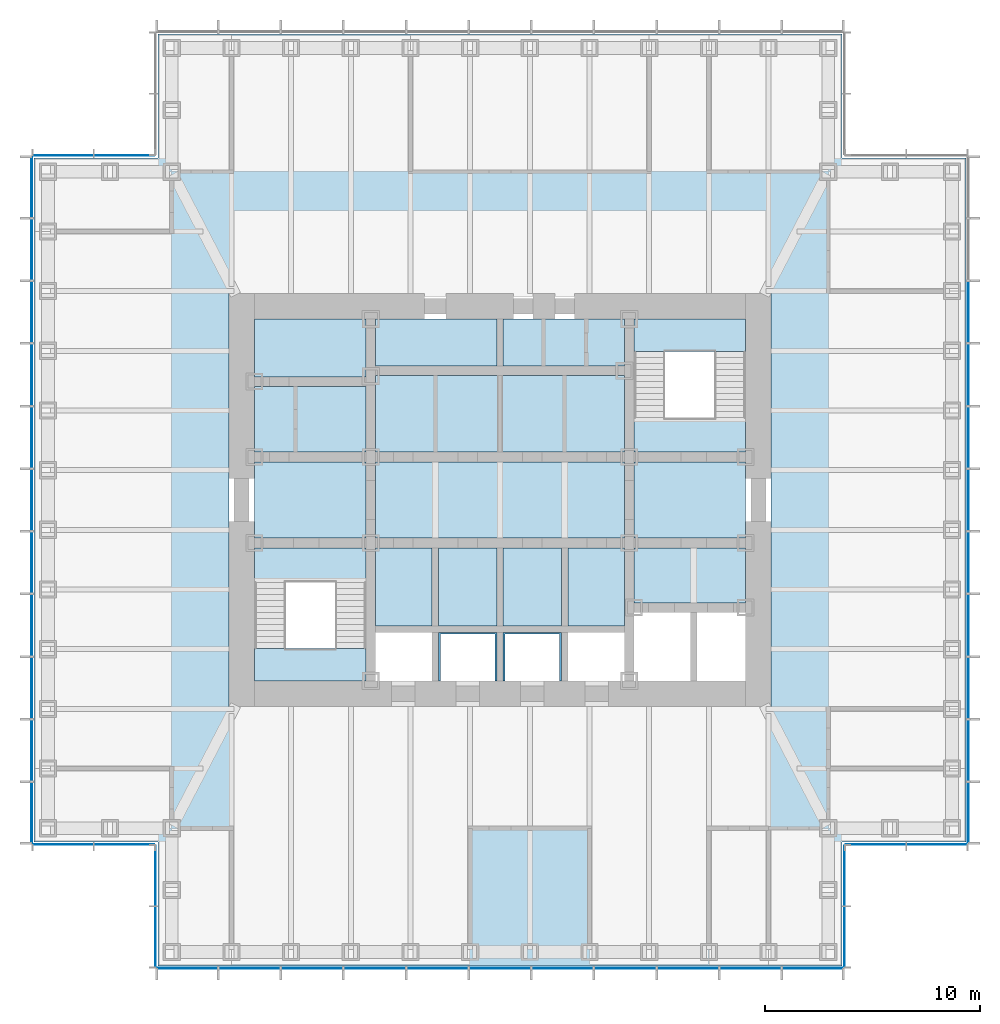
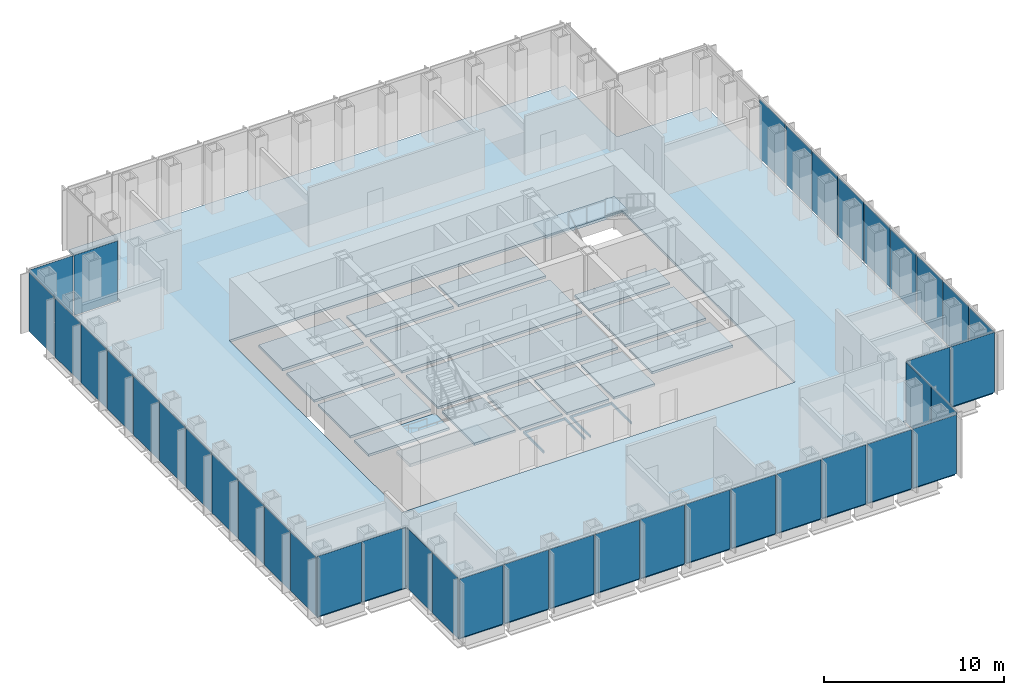
# One storey, part 7 of 16: 41 plates, 20 slabs, 10 elements without a shape of their own.
"""IFC4 building model written with IfcOpenShell, lengths in metres."""

from ifc_helpers import new_model, si_unit, direction, frame, origin, origin_2d, place, context, subcontext, project, spatial, polyline, rectangle, outline, extrude, material, layer, layer_set, type_object, element, aggregate, save


model = new_model("IFC4")

# Units and contexts
model_context = context("Model", 3, precision=1e-05, world=origin(), true_north=direction((0.0, 1.0)))
body_context = subcontext(model_context, "Body", "Model", "MODEL_VIEW")
ifc_project = project(units=[si_unit("LENGTHUNIT", "METRE"), si_unit("AREAUNIT", "SQUARE_METRE"), si_unit("VOLUMEUNIT", "CUBIC_METRE"), si_unit("PLANEANGLEUNIT", "RADIAN"), si_unit("MASSUNIT", "GRAM", prefix="KILO")], contexts=[model_context])

# Site, building, storey
site_placement = place(None, origin())
site = spatial("IfcSite", under=ifc_project, at=site_placement, CompositionType="ELEMENT")
building_placement = place(site_placement, origin())
building = spatial("IfcBuilding", under=site, at=building_placement, Name="Daluyong Arena Tower", CompositionType="ELEMENT")
storey_placement = place(building_placement, frame((0.0, 0.0, 258.699951171875)))
storey = spatial("IfcBuildingStorey", under=building, at=storey_placement, Name="L58", CompositionType="ELEMENT", Elevation=258.699951171875)

# Curtain wall, plates
ifc_material_1 = material(Name="Bronze anodised aluminium and glass", Category="aluminium")
curtain_wall_type_1 = type_object("IfcCurtainWallType", Name="Curtain wall CW4", PredefinedType="USERDEFINED", material=ifc_material_1)
curtain_wall_1_placement = place(storey_placement, origin())
curtain_wall_1 = element("IfcCurtainWall", 1, at=curtain_wall_1_placement, inside=storey, type_object=curtain_wall_type_1, Name="curtain wall L58 S", ObjectType="UNITISED CURTAIN WALL", PredefinedType="USERDEFINED")
ifc_material_2 = material(Name="Tinted laminated double glazed unit", Category="glass")
ifc_layer_1 = layer(ifc_material_2, 0.035888671875)
ifc_layer_set_1 = layer_set([ifc_layer_1], Name="Tinted laminated double glazed unit")
plate_type_1 = type_object("IfcPlateType", Name="CW4 panel 36", PredefinedType="CURTAIN_PANEL", material=ifc_layer_set_1)
plate_1_placement = place(storey_placement, frame((41.47705078125, 58.25, 0.0), z_axis=(0.0, 0.0, 1.0), x_axis=(1.0, 0.0, 0.0)))
plate_1 = element("IfcPlate", 2, at=plate_1_placement, type_object=plate_type_1, Name="curtain wall L58 S panel 1", PredefinedType="CURTAIN_PANEL", context=body_context, shape_type="SweptSolid", body=[
    extrude(rectangle(XDim=2.774169921875, YDim=0.035888671875, at=origin_2d()), origin(), (0.0, 0.0, 1.0), 4.0),
])
plate_2_placement = place(storey_placement, frame((44.363525390625, 58.25, 0.0), z_axis=(0.0, 0.0, 1.0), x_axis=(1.0, 0.0, 0.0)))
plate_2 = element("IfcPlate", 3, at=plate_2_placement, type_object=plate_type_1, Name="curtain wall L58 S panel 2", PredefinedType="CURTAIN_PANEL", context=body_context, shape_type="SweptSolid", body=[
    extrude(rectangle(XDim=2.819091796875, YDim=0.035888671875, at=origin_2d()), origin(), (0.0, 0.0, 1.0), 4.0),
])
plate_3_placement = place(storey_placement, frame((47.272705078125, 58.25, 0.0), z_axis=(0.0, 0.0, 1.0), x_axis=(1.0, 0.0, 0.0)))
plate_3 = element("IfcPlate", 4, at=plate_3_placement, type_object=plate_type_1, Name="curtain wall L58 S panel 3", PredefinedType="CURTAIN_PANEL", context=body_context, shape_type="SweptSolid", body=[
    extrude(rectangle(XDim=2.819091796875, YDim=0.035888671875, at=origin_2d()), origin(), (0.0, 0.0, 1.0), 4.0),
])
plate_4_placement = place(storey_placement, frame((50.181884765625, 58.25, 0.0), z_axis=(0.0, 0.0, 1.0), x_axis=(1.0, 0.0, 0.0)))
plate_4 = element("IfcPlate", 5, at=plate_4_placement, type_object=plate_type_1, Name="curtain wall L58 S panel 4", PredefinedType="CURTAIN_PANEL", context=body_context, shape_type="SweptSolid", body=[
    extrude(rectangle(XDim=2.819091796875, YDim=0.035888671875, at=origin_2d()), origin(), (0.0, 0.0, 1.0), 4.0),
])
plate_5_placement = place(storey_placement, frame((53.0908203125, 58.25, 0.0), z_axis=(0.0, 0.0, 1.0), x_axis=(1.0, 0.0, 0.0)))
plate_5 = element("IfcPlate", 6, at=plate_5_placement, type_object=plate_type_1, Name="curtain wall L58 S panel 5", PredefinedType="CURTAIN_PANEL", context=body_context, shape_type="SweptSolid", body=[
    extrude(rectangle(XDim=2.819091796875, YDim=0.035888671875, at=origin_2d()), origin(), (0.0, 0.0, 1.0), 4.0),
])
plate_6_placement = place(storey_placement, frame((56.0, 58.25, 0.0), z_axis=(0.0, 0.0, 1.0), x_axis=(1.0, 0.0, 0.0)))
plate_6 = element("IfcPlate", 7, at=plate_6_placement, type_object=plate_type_1, Name="curtain wall L58 S panel 6", PredefinedType="CURTAIN_PANEL", context=body_context, shape_type="SweptSolid", body=[
    extrude(rectangle(XDim=2.819091796875, YDim=0.035888671875, at=origin_2d()), origin(), (0.0, 0.0, 1.0), 4.0),
])
plate_7_placement = place(storey_placement, frame((58.9091796875, 58.25, 0.0), z_axis=(0.0, 0.0, 1.0), x_axis=(1.0, 0.0, 0.0)))
plate_7 = element("IfcPlate", 8, at=plate_7_placement, type_object=plate_type_1, Name="curtain wall L58 S panel 7", PredefinedType="CURTAIN_PANEL", context=body_context, shape_type="SweptSolid", body=[
    extrude(rectangle(XDim=2.819091796875, YDim=0.035888671875, at=origin_2d()), origin(), (0.0, 0.0, 1.0), 4.0),
])
plate_8_placement = place(storey_placement, frame((61.818115234375, 58.25, 0.0), z_axis=(0.0, 0.0, 1.0), x_axis=(1.0, 0.0, 0.0)))
plate_8 = element("IfcPlate", 9, at=plate_8_placement, type_object=plate_type_1, Name="curtain wall L58 S panel 8", PredefinedType="CURTAIN_PANEL", context=body_context, shape_type="SweptSolid", body=[
    extrude(rectangle(XDim=2.819091796875, YDim=0.035888671875, at=origin_2d()), origin(), (0.0, 0.0, 1.0), 4.0),
])
plate_9_placement = place(storey_placement, frame((64.727294921875, 58.25, 0.0), z_axis=(0.0, 0.0, 1.0), x_axis=(1.0, 0.0, 0.0)))
plate_9 = element("IfcPlate", 10, at=plate_9_placement, type_object=plate_type_1, Name="curtain wall L58 S panel 9", PredefinedType="CURTAIN_PANEL", context=body_context, shape_type="SweptSolid", body=[
    extrude(rectangle(XDim=2.819091796875, YDim=0.035888671875, at=origin_2d()), origin(), (0.0, 0.0, 1.0), 4.0),
])
plate_10_placement = place(storey_placement, frame((67.636474609375, 58.25, 0.0), z_axis=(0.0, 0.0, 1.0), x_axis=(1.0, 0.0, 0.0)))
plate_10 = element("IfcPlate", 11, at=plate_10_placement, type_object=plate_type_1, Name="curtain wall L58 S panel 10", PredefinedType="CURTAIN_PANEL", context=body_context, shape_type="SweptSolid", body=[
    extrude(rectangle(XDim=2.819091796875, YDim=0.035888671875, at=origin_2d()), origin(), (0.0, 0.0, 1.0), 4.0),
])
plate_11_placement = place(storey_placement, frame((70.52294921875, 58.25, 0.0), z_axis=(0.0, 0.0, 1.0), x_axis=(1.0, 0.0, 0.0)))
plate_11 = element("IfcPlate", 12, at=plate_11_placement, type_object=plate_type_1, Name="curtain wall L58 S panel 11", PredefinedType="CURTAIN_PANEL", context=body_context, shape_type="SweptSolid", body=[
    extrude(rectangle(XDim=2.774169921875, YDim=0.035888671875, at=origin_2d()), origin(), (0.0, 0.0, 1.0), 4.0),
])
aggregate(curtain_wall_1, [plate_1, plate_2, plate_3, plate_4, plate_5, plate_6, plate_7, plate_8, plate_9, plate_10, plate_11])

curtain_wall_2_placement = place(storey_placement, origin())
curtain_wall_2 = element("IfcCurtainWall", 13, at=curtain_wall_2_placement, inside=storey, type_object=curtain_wall_type_1, Name="curtain wall L58 E", ObjectType="UNITISED CURTAIN WALL", PredefinedType="USERDEFINED")
plate_12_placement = place(storey_placement, frame((77.75, 65.47705078125, 0.0), z_axis=(0.0, 0.0, 1.0), x_axis=(0.0, 1.0, 0.0)))
plate_12 = element("IfcPlate", 14, at=plate_12_placement, type_object=plate_type_1, Name="curtain wall L58 E panel 1", PredefinedType="CURTAIN_PANEL", context=body_context, shape_type="SweptSolid", body=[
    extrude(rectangle(XDim=2.774169921875, YDim=0.035888671875, at=origin_2d()), origin(), (0.0, 0.0, 1.0), 4.0),
])
plate_13_placement = place(storey_placement, frame((77.75, 68.363525390625, 0.0), z_axis=(0.0, 0.0, 1.0), x_axis=(0.0, 1.0, 0.0)))
plate_13 = element("IfcPlate", 15, at=plate_13_placement, type_object=plate_type_1, Name="curtain wall L58 E panel 2", PredefinedType="CURTAIN_PANEL", context=body_context, shape_type="SweptSolid", body=[
    extrude(rectangle(XDim=2.819091796875, YDim=0.035888671875, at=origin_2d()), origin(), (0.0, 0.0, 1.0), 4.0),
])
plate_14_placement = place(storey_placement, frame((77.75, 71.272705078125, 0.0), z_axis=(0.0, 0.0, 1.0), x_axis=(0.0, 1.0, 0.0)))
plate_14 = element("IfcPlate", 16, at=plate_14_placement, type_object=plate_type_1, Name="curtain wall L58 E panel 3", PredefinedType="CURTAIN_PANEL", context=body_context, shape_type="SweptSolid", body=[
    extrude(rectangle(XDim=2.819091796875, YDim=0.035888671875, at=origin_2d()), origin(), (0.0, 0.0, 1.0), 4.0),
])
plate_15_placement = place(storey_placement, frame((77.75, 74.181884765625, 0.0), z_axis=(0.0, 0.0, 1.0), x_axis=(0.0, 1.0, 0.0)))
plate_15 = element("IfcPlate", 17, at=plate_15_placement, type_object=plate_type_1, Name="curtain wall L58 E panel 4", PredefinedType="CURTAIN_PANEL", context=body_context, shape_type="SweptSolid", body=[
    extrude(rectangle(XDim=2.819091796875, YDim=0.035888671875, at=origin_2d()), origin(), (0.0, 0.0, 1.0), 4.0),
])
plate_16_placement = place(storey_placement, frame((77.75, 77.0908203125, 0.0), z_axis=(0.0, 0.0, 1.0), x_axis=(0.0, 1.0, 0.0)))
plate_16 = element("IfcPlate", 18, at=plate_16_placement, type_object=plate_type_1, Name="curtain wall L58 E panel 5", PredefinedType="CURTAIN_PANEL", context=body_context, shape_type="SweptSolid", body=[
    extrude(rectangle(XDim=2.819091796875, YDim=0.035888671875, at=origin_2d()), origin(), (0.0, 0.0, 1.0), 4.0),
])
plate_17_placement = place(storey_placement, frame((77.75, 80.0, 0.0), z_axis=(0.0, 0.0, 1.0), x_axis=(0.0, 1.0, 0.0)))
plate_17 = element("IfcPlate", 19, at=plate_17_placement, type_object=plate_type_1, Name="curtain wall L58 E panel 6", PredefinedType="CURTAIN_PANEL", context=body_context, shape_type="SweptSolid", body=[
    extrude(rectangle(XDim=2.819091796875, YDim=0.035888671875, at=origin_2d()), origin(), (0.0, 0.0, 1.0), 4.0),
])
plate_18_placement = place(storey_placement, frame((77.75, 82.9091796875, 0.0), z_axis=(0.0, 0.0, 1.0), x_axis=(0.0, 1.0, 0.0)))
plate_18 = element("IfcPlate", 20, at=plate_18_placement, type_object=plate_type_1, Name="curtain wall L58 E panel 7", PredefinedType="CURTAIN_PANEL", context=body_context, shape_type="SweptSolid", body=[
    extrude(rectangle(XDim=2.819091796875, YDim=0.035888671875, at=origin_2d()), origin(), (0.0, 0.0, 1.0), 4.0),
])
plate_19_placement = place(storey_placement, frame((77.75, 85.818115234375, 0.0), z_axis=(0.0, 0.0, 1.0), x_axis=(0.0, 1.0, 0.0)))
plate_19 = element("IfcPlate", 21, at=plate_19_placement, type_object=plate_type_1, Name="curtain wall L58 E panel 8", PredefinedType="CURTAIN_PANEL", context=body_context, shape_type="SweptSolid", body=[
    extrude(rectangle(XDim=2.819091796875, YDim=0.035888671875, at=origin_2d()), origin(), (0.0, 0.0, 1.0), 4.0),
])
plate_20_placement = place(storey_placement, frame((77.75, 88.727294921875, 0.0), z_axis=(0.0, 0.0, 1.0), x_axis=(0.0, 1.0, 0.0)))
plate_20 = element("IfcPlate", 22, at=plate_20_placement, type_object=plate_type_1, Name="curtain wall L58 E panel 9", PredefinedType="CURTAIN_PANEL", context=body_context, shape_type="SweptSolid", body=[
    extrude(rectangle(XDim=2.819091796875, YDim=0.035888671875, at=origin_2d()), origin(), (0.0, 0.0, 1.0), 4.0),
])
aggregate(curtain_wall_2, [plate_12, plate_13, plate_14, plate_15, plate_16, plate_17, plate_18, plate_19, plate_20])

curtain_wall_3_placement = place(storey_placement, origin())
curtain_wall_3 = element("IfcCurtainWall", 23, at=curtain_wall_3_placement, inside=storey, type_object=curtain_wall_type_1, Name="curtain wall L58 W", ObjectType="UNITISED CURTAIN WALL", PredefinedType="USERDEFINED")
plate_21_placement = place(storey_placement, frame((34.25, 94.52294921875, 0.0), z_axis=(0.0, 0.0, 1.0), x_axis=(0.0, -1.0, 0.0)))
plate_21 = element("IfcPlate", 24, at=plate_21_placement, type_object=plate_type_1, Name="curtain wall L58 W panel 1", PredefinedType="CURTAIN_PANEL", context=body_context, shape_type="SweptSolid", body=[
    extrude(rectangle(XDim=2.774169921875, YDim=0.035888671875, at=origin_2d()), origin(), (0.0, 0.0, 1.0), 4.0),
])
plate_22_placement = place(storey_placement, frame((34.25, 91.636474609375, 0.0), z_axis=(0.0, 0.0, 1.0), x_axis=(0.0, -1.0, 0.0)))
plate_22 = element("IfcPlate", 25, at=plate_22_placement, type_object=plate_type_1, Name="curtain wall L58 W panel 2", PredefinedType="CURTAIN_PANEL", context=body_context, shape_type="SweptSolid", body=[
    extrude(rectangle(XDim=2.819091796875, YDim=0.035888671875, at=origin_2d()), origin(), (0.0, 0.0, 1.0), 4.0),
])
plate_23_placement = place(storey_placement, frame((34.25, 88.727294921875, 0.0), z_axis=(0.0, 0.0, 1.0), x_axis=(0.0, -1.0, 0.0)))
plate_23 = element("IfcPlate", 26, at=plate_23_placement, type_object=plate_type_1, Name="curtain wall L58 W panel 3", PredefinedType="CURTAIN_PANEL", context=body_context, shape_type="SweptSolid", body=[
    extrude(rectangle(XDim=2.819091796875, YDim=0.035888671875, at=origin_2d()), origin(), (0.0, 0.0, 1.0), 4.0),
])
plate_24_placement = place(storey_placement, frame((34.25, 85.818115234375, 0.0), z_axis=(0.0, 0.0, 1.0), x_axis=(0.0, -1.0, 0.0)))
plate_24 = element("IfcPlate", 27, at=plate_24_placement, type_object=plate_type_1, Name="curtain wall L58 W panel 4", PredefinedType="CURTAIN_PANEL", context=body_context, shape_type="SweptSolid", body=[
    extrude(rectangle(XDim=2.819091796875, YDim=0.035888671875, at=origin_2d()), origin(), (0.0, 0.0, 1.0), 4.0),
])
plate_25_placement = place(storey_placement, frame((34.25, 82.9091796875, 0.0), z_axis=(0.0, 0.0, 1.0), x_axis=(0.0, -1.0, 0.0)))
plate_25 = element("IfcPlate", 28, at=plate_25_placement, type_object=plate_type_1, Name="curtain wall L58 W panel 5", PredefinedType="CURTAIN_PANEL", context=body_context, shape_type="SweptSolid", body=[
    extrude(rectangle(XDim=2.819091796875, YDim=0.035888671875, at=origin_2d()), origin(), (0.0, 0.0, 1.0), 4.0),
])
plate_26_placement = place(storey_placement, frame((34.25, 80.0, 0.0), z_axis=(0.0, 0.0, 1.0), x_axis=(0.0, -1.0, 0.0)))
plate_26 = element("IfcPlate", 29, at=plate_26_placement, type_object=plate_type_1, Name="curtain wall L58 W panel 6", PredefinedType="CURTAIN_PANEL", context=body_context, shape_type="SweptSolid", body=[
    extrude(rectangle(XDim=2.819091796875, YDim=0.035888671875, at=origin_2d()), origin(), (0.0, 0.0, 1.0), 4.0),
])
plate_27_placement = place(storey_placement, frame((34.25, 77.0908203125, 0.0), z_axis=(0.0, 0.0, 1.0), x_axis=(0.0, -1.0, 0.0)))
plate_27 = element("IfcPlate", 30, at=plate_27_placement, type_object=plate_type_1, Name="curtain wall L58 W panel 7", PredefinedType="CURTAIN_PANEL", context=body_context, shape_type="SweptSolid", body=[
    extrude(rectangle(XDim=2.819091796875, YDim=0.035888671875, at=origin_2d()), origin(), (0.0, 0.0, 1.0), 4.0),
])
plate_28_placement = place(storey_placement, frame((34.25, 74.181884765625, 0.0), z_axis=(0.0, 0.0, 1.0), x_axis=(0.0, -1.0, 0.0)))
plate_28 = element("IfcPlate", 31, at=plate_28_placement, type_object=plate_type_1, Name="curtain wall L58 W panel 8", PredefinedType="CURTAIN_PANEL", context=body_context, shape_type="SweptSolid", body=[
    extrude(rectangle(XDim=2.819091796875, YDim=0.035888671875, at=origin_2d()), origin(), (0.0, 0.0, 1.0), 4.0),
])
plate_29_placement = place(storey_placement, frame((34.25, 71.272705078125, 0.0), z_axis=(0.0, 0.0, 1.0), x_axis=(0.0, -1.0, 0.0)))
plate_29 = element("IfcPlate", 32, at=plate_29_placement, type_object=plate_type_1, Name="curtain wall L58 W panel 9", PredefinedType="CURTAIN_PANEL", context=body_context, shape_type="SweptSolid", body=[
    extrude(rectangle(XDim=2.819091796875, YDim=0.035888671875, at=origin_2d()), origin(), (0.0, 0.0, 1.0), 4.0),
])
plate_30_placement = place(storey_placement, frame((34.25, 68.363525390625, 0.0), z_axis=(0.0, 0.0, 1.0), x_axis=(0.0, -1.0, 0.0)))
plate_30 = element("IfcPlate", 33, at=plate_30_placement, type_object=plate_type_1, Name="curtain wall L58 W panel 10", PredefinedType="CURTAIN_PANEL", context=body_context, shape_type="SweptSolid", body=[
    extrude(rectangle(XDim=2.819091796875, YDim=0.035888671875, at=origin_2d()), origin(), (0.0, 0.0, 1.0), 4.0),
])
plate_31_placement = place(storey_placement, frame((34.25, 65.47705078125, 0.0), z_axis=(0.0, 0.0, 1.0), x_axis=(0.0, -1.0, 0.0)))
plate_31 = element("IfcPlate", 34, at=plate_31_placement, type_object=plate_type_1, Name="curtain wall L58 W panel 11", PredefinedType="CURTAIN_PANEL", context=body_context, shape_type="SweptSolid", body=[
    extrude(rectangle(XDim=2.774169921875, YDim=0.035888671875, at=origin_2d()), origin(), (0.0, 0.0, 1.0), 4.0),
])
aggregate(curtain_wall_3, [plate_21, plate_22, plate_23, plate_24, plate_25, plate_26, plate_27, plate_28, plate_29, plate_30, plate_31])

ifc_material_3 = material(Name="Bronze anodised aluminium and glass", Category="aluminium")
curtain_wall_type_2 = type_object("IfcCurtainWallType", Name="Curtain wall CW7", PredefinedType="USERDEFINED", material=ifc_material_3)
curtain_wall_4_placement = place(storey_placement, origin())
curtain_wall_4 = element("IfcCurtainWall", 35, at=curtain_wall_4_placement, inside=storey, type_object=curtain_wall_type_2, Name="curtain wall L58 SE-E", ObjectType="UNITISED CURTAIN WALL", PredefinedType="USERDEFINED")
ifc_material_4 = material(Name="Tinted double glazed unit", Category="glass")
ifc_layer_2 = layer(ifc_material_4, 0.028076171875)
ifc_layer_set_2 = layer_set([ifc_layer_2], Name="Tinted double glazed unit")
plate_type_2 = type_object("IfcPlateType", Name="CW7 panel 28", PredefinedType="CURTAIN_PANEL", material=ifc_layer_set_2)
plate_32_placement = place(storey_placement, frame((72.0, 59.702392578125, 0.0), z_axis=(0.0, 0.0, 1.0), x_axis=(0.0, 1.0, 0.0)))
plate_32 = element("IfcPlate", 36, at=plate_32_placement, type_object=plate_type_2, Name="curtain wall L58 SE-E panel 1", PredefinedType="CURTAIN_PANEL", context=body_context, shape_type="SweptSolid", body=[
    extrude(rectangle(XDim=2.784912109375, YDim=0.028076171875, at=origin_2d()), origin(), (0.0, 0.0, 1.0), 4.080078125),
])
plate_33_placement = place(storey_placement, frame((72.0, 62.547607421875, 0.0), z_axis=(0.0, 0.0, 1.0), x_axis=(0.0, 1.0, 0.0)))
plate_33 = element("IfcPlate", 37, at=plate_33_placement, type_object=plate_type_2, Name="curtain wall L58 SE-E panel 2", PredefinedType="CURTAIN_PANEL", context=body_context, shape_type="SweptSolid", body=[
    extrude(rectangle(XDim=2.784912109375, YDim=0.028076171875, at=origin_2d()), origin(), (0.0, 0.0, 1.0), 4.080078125),
])
aggregate(curtain_wall_4, [plate_32, plate_33])

curtain_wall_5_placement = place(storey_placement, origin())
curtain_wall_5 = element("IfcCurtainWall", 38, at=curtain_wall_5_placement, inside=storey, type_object=curtain_wall_type_2, Name="curtain wall L58 SE-S", ObjectType="UNITISED CURTAIN WALL", PredefinedType="USERDEFINED")
plate_34_placement = place(storey_placement, frame((73.452392578125, 64.0, 0.0), z_axis=(0.0, 0.0, 1.0), x_axis=(1.0, 0.0, 0.0)))
plate_34 = element("IfcPlate", 39, at=plate_34_placement, type_object=plate_type_2, Name="curtain wall L58 SE-S panel 1", PredefinedType="CURTAIN_PANEL", context=body_context, shape_type="SweptSolid", body=[
    extrude(rectangle(XDim=2.784912109375, YDim=0.028076171875, at=origin_2d()), origin(), (0.0, 0.0, 1.0), 4.080078125),
])
plate_35_placement = place(storey_placement, frame((76.297607421875, 64.0, 0.0), z_axis=(0.0, 0.0, 1.0), x_axis=(1.0, 0.0, 0.0)))
plate_35 = element("IfcPlate", 40, at=plate_35_placement, type_object=plate_type_2, Name="curtain wall L58 SE-S panel 2", PredefinedType="CURTAIN_PANEL", context=body_context, shape_type="SweptSolid", body=[
    extrude(rectangle(XDim=2.784912109375, YDim=0.028076171875, at=origin_2d()), origin(), (0.0, 0.0, 1.0), 4.080078125),
])
aggregate(curtain_wall_5, [plate_34, plate_35])

curtain_wall_6_placement = place(storey_placement, origin())
curtain_wall_6 = element("IfcCurtainWall", 41, at=curtain_wall_6_placement, inside=storey, type_object=curtain_wall_type_2, Name="curtain wall L58 NW-N", ObjectType="UNITISED CURTAIN WALL", PredefinedType="USERDEFINED")
plate_36_placement = place(storey_placement, frame((38.547607421875, 96.0, 0.0), z_axis=(0.0, 0.0, 1.0), x_axis=(-1.0, 0.0, 0.0)))
plate_36 = element("IfcPlate", 42, at=plate_36_placement, type_object=plate_type_2, Name="curtain wall L58 NW-N panel 1", PredefinedType="CURTAIN_PANEL", context=body_context, shape_type="SweptSolid", body=[
    extrude(rectangle(XDim=2.784912109375, YDim=0.028076171875, at=origin_2d()), origin(), (0.0, 0.0, 1.0), 4.080078125),
])
plate_37_placement = place(storey_placement, frame((35.702392578125, 96.0, 0.0), z_axis=(0.0, 0.0, 1.0), x_axis=(-1.0, 0.0, 0.0)))
plate_37 = element("IfcPlate", 43, at=plate_37_placement, type_object=plate_type_2, Name="curtain wall L58 NW-N panel 2", PredefinedType="CURTAIN_PANEL", context=body_context, shape_type="SweptSolid", body=[
    extrude(rectangle(XDim=2.784912109375, YDim=0.028076171875, at=origin_2d()), origin(), (0.0, 0.0, 1.0), 4.080078125),
])
aggregate(curtain_wall_6, [plate_36, plate_37])

curtain_wall_7_placement = place(storey_placement, origin())
curtain_wall_7 = element("IfcCurtainWall", 44, at=curtain_wall_7_placement, inside=storey, type_object=curtain_wall_type_2, Name="curtain wall L58 SW-S", ObjectType="UNITISED CURTAIN WALL", PredefinedType="USERDEFINED")
plate_38_placement = place(storey_placement, frame((35.702392578125, 64.0, 0.0), z_axis=(0.0, 0.0, 1.0), x_axis=(1.0, 0.0, 0.0)))
plate_38 = element("IfcPlate", 45, at=plate_38_placement, type_object=plate_type_2, Name="curtain wall L58 SW-S panel 1", PredefinedType="CURTAIN_PANEL", context=body_context, shape_type="SweptSolid", body=[
    extrude(rectangle(XDim=2.784912109375, YDim=0.028076171875, at=origin_2d()), origin(), (0.0, 0.0, 1.0), 4.080078125),
])
plate_39_placement = place(storey_placement, frame((38.547607421875, 64.0, 0.0), z_axis=(0.0, 0.0, 1.0), x_axis=(1.0, 0.0, 0.0)))
plate_39 = element("IfcPlate", 46, at=plate_39_placement, type_object=plate_type_2, Name="curtain wall L58 SW-S panel 2", PredefinedType="CURTAIN_PANEL", context=body_context, shape_type="SweptSolid", body=[
    extrude(rectangle(XDim=2.784912109375, YDim=0.028076171875, at=origin_2d()), origin(), (0.0, 0.0, 1.0), 4.080078125),
])
aggregate(curtain_wall_7, [plate_38, plate_39])

curtain_wall_8_placement = place(storey_placement, origin())
curtain_wall_8 = element("IfcCurtainWall", 47, at=curtain_wall_8_placement, inside=storey, type_object=curtain_wall_type_2, Name="curtain wall L58 SW-W", ObjectType="UNITISED CURTAIN WALL", PredefinedType="USERDEFINED")
plate_40_placement = place(storey_placement, frame((40.0, 62.547607421875, 0.0), z_axis=(0.0, 0.0, 1.0), x_axis=(0.0, -1.0, 0.0)))
plate_40 = element("IfcPlate", 48, at=plate_40_placement, type_object=plate_type_2, Name="curtain wall L58 SW-W panel 1", PredefinedType="CURTAIN_PANEL", context=body_context, shape_type="SweptSolid", body=[
    extrude(rectangle(XDim=2.784912109375, YDim=0.028076171875, at=origin_2d()), origin(), (0.0, 0.0, 1.0), 4.080078125),
])
plate_41_placement = place(storey_placement, frame((40.0, 59.702392578125, 0.0), z_axis=(0.0, 0.0, 1.0), x_axis=(0.0, -1.0, 0.0)))
plate_41 = element("IfcPlate", 49, at=plate_41_placement, type_object=plate_type_2, Name="curtain wall L58 SW-W panel 2", PredefinedType="CURTAIN_PANEL", context=body_context, shape_type="SweptSolid", body=[
    extrude(rectangle(XDim=2.784912109375, YDim=0.028076171875, at=origin_2d()), origin(), (0.0, 0.0, 1.0), 4.080078125),
])
aggregate(curtain_wall_8, [plate_40, plate_41])

# Stair, slab
ifc_material_5 = material(Name="Concrete fc' 35 MPa", Category="concrete")
stair_type = type_object("IfcStairType", Name="Core exit stair", PredefinedType="HALF_TURN_STAIR", material=ifc_material_5)
stair_1_placement = place(storey_placement, origin())
stair_1 = element("IfcStair", 50, at=stair_1_placement, inside=storey, type_object=stair_type, Name="exit stair A L58", PredefinedType="HALF_TURN_STAIR")
ifc_material_6 = material(Name="Concrete fc' 35 MPa", Category="concrete")
ifc_layer_3 = layer(ifc_material_6, 0.199951171875)
ifc_layer_set_3 = layer_set([ifc_layer_3], Name="Concrete fc' 35 MPa")
slab_type_1 = type_object("IfcSlabType", Name="Stair landing 200", PredefinedType="LANDING", material=ifc_layer_set_3)
slab_1_placement = place(storey_placement, frame((0.0, 0.0, 1.900146484375)))
slab_1 = element("IfcSlab", 51, at=slab_1_placement, type_object=slab_type_1, Name="STA landing 1", PredefinedType="LANDING", context=body_context, shape_type="SweptSolid", body=[
    extrude(outline(polyline([(44.60009765625, 71.60009765625), (49.77490234375, 71.60009765625), (49.77490234375, 73.094970703125), (44.60009765625, 73.094970703125), (44.60009765625, 71.60009765625)])), origin(), (0.0, 0.0, 1.0), 0.199951171875),
])
aggregate(stair_1, [slab_1])

stair_2_placement = place(storey_placement, origin())
stair_2 = element("IfcStair", 52, at=stair_2_placement, inside=storey, type_object=stair_type, Name="exit stair B L58", PredefinedType="HALF_TURN_STAIR")
slab_2_placement = place(storey_placement, frame((0.0, 0.0, 1.900146484375)))
slab_2 = element("IfcSlab", 53, at=slab_2_placement, type_object=slab_type_1, Name="STB landing 1", PredefinedType="LANDING", context=body_context, shape_type="SweptSolid", body=[
    extrude(outline(polyline([(62.22509765625, 86.905029296875), (67.39990234375, 86.905029296875), (67.39990234375, 88.39990234375), (62.22509765625, 88.39990234375), (62.22509765625, 86.905029296875)])), origin(), (0.0, 0.0, 1.0), 0.199951171875),
])
aggregate(stair_2, [slab_2])

# Slabs
ifc_material_7 = material(Name="Concrete fc' 35 MPa", Category="concrete")
ifc_layer_4 = layer(ifc_material_7, 0.159912109375)
ifc_layer_set_4 = layer_set([ifc_layer_4], Name="Concrete fc' 35 MPa")
slab_type_2 = type_object("IfcSlabType", Name="Tower floor slab 160", PredefinedType="FLOOR", material=ifc_layer_set_4)
slab_3_placement = place(storey_placement, frame((0.0, 0.0, -0.159912109375)))
element("IfcSlab", 54, at=slab_3_placement, inside=storey, type_object=slab_type_2, Name="floor L58 part 1", PredefinedType="FLOOR", context=body_context, shape_type="SweptSolid", body=[
    extrude(outline(polyline([(49.77490234375, 77.77490234375), (44.60009765625, 77.77490234375), (44.60009765625, 76.175048828125), (49.77490234375, 76.175048828125), (49.77490234375, 77.77490234375)])), origin(), (0.0, 0.0, 1.0), 0.159912109375),
])
slab_4_placement = place(storey_placement, frame((0.0, 0.0, -0.159912109375)))
element("IfcSlab", 55, at=slab_4_placement, inside=storey, type_object=slab_type_2, Name="floor L58 part 2", PredefinedType="FLOOR", context=body_context, shape_type="SweptSolid", body=[
    extrude(outline(polyline([(49.77490234375, 78.22509765625), (49.77490234375, 81.77490234375), (44.60009765625, 81.77490234375), (44.60009765625, 78.22509765625), (49.77490234375, 78.22509765625)])), origin(), (0.0, 0.0, 1.0), 0.159912109375),
])
slab_5_placement = place(storey_placement, frame((0.0, 0.0, -0.159912109375)))
element("IfcSlab", 56, at=slab_5_placement, inside=storey, type_object=slab_type_2, Name="floor L58 part 3", PredefinedType="FLOOR", context=body_context, shape_type="SweptSolid", body=[
    extrude(outline(polyline([(44.60009765625, 85.27490234375), (44.60009765625, 82.22509765625), (49.77490234375, 82.22509765625), (49.77490234375, 85.27490234375), (44.60009765625, 85.27490234375)])), origin(), (0.0, 0.0, 1.0), 0.159912109375),
])
slab_6_placement = place(storey_placement, frame((0.0, 0.0, -0.159912109375)))
element("IfcSlab", 57, at=slab_6_placement, inside=storey, type_object=slab_type_2, Name="floor L58 part 4", PredefinedType="FLOOR", context=body_context, shape_type="SweptSolid", body=[
    extrude(outline(polyline([(44.60009765625, 88.39990234375), (44.60009765625, 85.72509765625), (49.77490234375, 85.72509765625), (49.77490234375, 88.39990234375), (44.60009765625, 88.39990234375)])), origin(), (0.0, 0.0, 1.0), 0.159912109375),
])
slab_7_placement = place(storey_placement, frame((0.0, 0.0, -0.159912109375)))
element("IfcSlab", 58, at=slab_7_placement, inside=storey, type_object=slab_type_2, Name="floor L58 part 5", PredefinedType="FLOOR", context=body_context, shape_type="SweptSolid", body=[
    extrude(outline(polyline([(52.85009765625, 74.14990234375), (52.85009765625, 77.77490234375), (50.22509765625, 77.77490234375), (50.22509765625, 74.14990234375), (52.85009765625, 74.14990234375)])), origin(), (0.0, 0.0, 1.0), 0.159912109375),
])
slab_8_placement = place(storey_placement, frame((0.0, 0.0, -0.159912109375)))
element("IfcSlab", 59, at=slab_8_placement, inside=storey, type_object=slab_type_2, Name="floor L58 part 6", PredefinedType="FLOOR", context=body_context, shape_type="SweptSolid", body=[
    extrude(outline(polyline([(50.22509765625, 88.39990234375), (50.22509765625, 86.22509765625), (55.85009765625, 86.22509765625), (55.85009765625, 88.39990234375), (50.22509765625, 88.39990234375)])), origin(), (0.0, 0.0, 1.0), 0.159912109375),
])
slab_9_placement = place(storey_placement, frame((0.0, 0.0, -0.159912109375)))
element("IfcSlab", 60, at=slab_9_placement, inside=storey, type_object=slab_type_2, Name="floor L58 part 7", PredefinedType="FLOOR", context=body_context, shape_type="SweptSolid", body=[
    extrude(outline(polyline([(53.22509765625, 71.60009765625), (53.22509765625, 73.77490234375), (55.77490234375, 73.77490234375), (55.77490234375, 71.60009765625), (55.85009765625, 71.60009765625), (55.85009765625, 73.85009765625), (53.14990234375, 73.85009765625), (53.14990234375, 71.60009765625), (53.22509765625, 71.60009765625)])), origin(), (0.0, 0.0, 1.0), 0.159912109375),
])
slab_10_placement = place(storey_placement, frame((0.0, 0.0, -0.159912109375)))
element("IfcSlab", 61, at=slab_10_placement, inside=storey, type_object=slab_type_2, Name="floor L58 part 8", PredefinedType="FLOOR", context=body_context, shape_type="SweptSolid", body=[
    extrude(outline(polyline([(53.14990234375, 74.14990234375), (55.85009765625, 74.14990234375), (55.85009765625, 77.77490234375), (53.14990234375, 77.77490234375), (53.14990234375, 74.14990234375)])), origin(), (0.0, 0.0, 1.0), 0.159912109375),
])
slab_11_placement = place(storey_placement, frame((0.0, 0.0, -0.159912109375)))
element("IfcSlab", 62, at=slab_11_placement, inside=storey, type_object=slab_type_2, Name="floor L58 part 9", PredefinedType="FLOOR", context=body_context, shape_type="SweptSolid", body=[
    extrude(outline(polyline([(40.10009765625, 64.10009765625), (40.10009765625, 58.35009765625), (71.89990234375, 58.35009765625), (71.89990234375, 64.10009765625), (77.64990234375, 64.10009765625), (77.64990234375, 95.89990234375), (71.89990234375, 95.89990234375), (71.89990234375, 101.64990234375), (40.10009765625, 101.64990234375), (40.10009765625, 95.89990234375), (34.35009765625, 95.89990234375), (34.35009765625, 64.10009765625), (40.10009765625, 64.10009765625)]), holes=[polyline([(68.60009765625, 89.60009765625), (68.60009765625, 70.39990234375), (43.39990234375, 70.39990234375), (43.39990234375, 89.60009765625), (68.60009765625, 89.60009765625)])]), origin(), (0.0, 0.0, 1.0), 0.159912109375),
])
slab_12_placement = place(storey_placement, frame((0.0, 0.0, -0.159912109375)))
element("IfcSlab", 63, at=slab_12_placement, inside=storey, type_object=slab_type_2, Name="floor L58 part 10", PredefinedType="FLOOR", context=body_context, shape_type="SweptSolid", body=[
    extrude(outline(polyline([(50.22509765625, 81.77490234375), (50.22509765625, 78.22509765625), (61.77490234375, 78.22509765625), (61.77490234375, 81.77490234375), (50.22509765625, 81.77490234375)])), origin(), (0.0, 0.0, 1.0), 0.159912109375),
])
slab_13_placement = place(storey_placement, frame((0.0, 0.0, -0.159912109375)))
element("IfcSlab", 64, at=slab_13_placement, inside=storey, type_object=slab_type_2, Name="floor L58 part 11", PredefinedType="FLOOR", context=body_context, shape_type="SweptSolid", body=[
    extrude(outline(polyline([(50.22509765625, 85.77490234375), (50.22509765625, 82.22509765625), (61.77490234375, 82.22509765625), (61.77490234375, 85.77490234375), (50.22509765625, 85.77490234375)])), origin(), (0.0, 0.0, 1.0), 0.159912109375),
])
slab_14_placement = place(storey_placement, frame((0.0, 0.0, -0.159912109375)))
element("IfcSlab", 65, at=slab_14_placement, inside=storey, type_object=slab_type_2, Name="floor L58 part 12", PredefinedType="FLOOR", context=body_context, shape_type="SweptSolid", body=[
    extrude(outline(polyline([(56.22509765625, 71.60009765625), (56.22509765625, 73.77490234375), (58.77490234375, 73.77490234375), (58.77490234375, 71.60009765625), (58.85009765625, 71.60009765625), (58.85009765625, 73.85009765625), (56.14990234375, 73.85009765625), (56.14990234375, 71.60009765625), (56.22509765625, 71.60009765625)])), origin(), (0.0, 0.0, 1.0), 0.159912109375),
])
slab_15_placement = place(storey_placement, frame((0.0, 0.0, -0.159912109375)))
element("IfcSlab", 66, at=slab_15_placement, inside=storey, type_object=slab_type_2, Name="floor L58 part 13", PredefinedType="FLOOR", context=body_context, shape_type="SweptSolid", body=[
    extrude(outline(polyline([(58.85009765625, 77.77490234375), (56.14990234375, 77.77490234375), (56.14990234375, 74.14990234375), (58.85009765625, 74.14990234375), (58.85009765625, 77.77490234375)])), origin(), (0.0, 0.0, 1.0), 0.159912109375),
])
slab_16_placement = place(storey_placement, frame((0.0, 0.0, -0.159912109375)))
element("IfcSlab", 67, at=slab_16_placement, inside=storey, type_object=slab_type_2, Name="floor L58 part 14", PredefinedType="FLOOR", context=body_context, shape_type="SweptSolid", body=[
    extrude(outline(polyline([(56.14990234375, 88.39990234375), (56.14990234375, 86.22509765625), (61.77490234375, 86.22509765625), (61.77490234375, 88.39990234375), (56.14990234375, 88.39990234375)])), origin(), (0.0, 0.0, 1.0), 0.159912109375),
])
slab_17_placement = place(storey_placement, frame((0.0, 0.0, -0.159912109375)))
element("IfcSlab", 68, at=slab_17_placement, inside=storey, type_object=slab_type_2, Name="floor L58 part 15", PredefinedType="FLOOR", context=body_context, shape_type="SweptSolid", body=[
    extrude(outline(polyline([(61.77490234375, 77.77490234375), (59.14990234375, 77.77490234375), (59.14990234375, 74.14990234375), (61.77490234375, 74.14990234375), (61.77490234375, 77.77490234375)])), origin(), (0.0, 0.0, 1.0), 0.159912109375),
])
slab_18_placement = place(storey_placement, frame((0.0, 0.0, -0.159912109375)))
element("IfcSlab", 69, at=slab_18_placement, inside=storey, type_object=slab_type_2, Name="floor L58 part 16", PredefinedType="FLOOR", context=body_context, shape_type="SweptSolid", body=[
    extrude(outline(polyline([(67.39990234375, 75.22509765625), (67.39990234375, 77.77490234375), (62.22509765625, 77.77490234375), (62.22509765625, 75.22509765625), (67.39990234375, 75.22509765625)])), origin(), (0.0, 0.0, 1.0), 0.159912109375),
])
slab_19_placement = place(storey_placement, frame((0.0, 0.0, -0.159912109375)))
element("IfcSlab", 70, at=slab_19_placement, inside=storey, type_object=slab_type_2, Name="floor L58 part 17", PredefinedType="FLOOR", context=body_context, shape_type="SweptSolid", body=[
    extrude(outline(polyline([(67.39990234375, 78.22509765625), (67.39990234375, 81.77490234375), (62.22509765625, 81.77490234375), (62.22509765625, 78.22509765625), (67.39990234375, 78.22509765625)])), origin(), (0.0, 0.0, 1.0), 0.159912109375),
])
slab_20_placement = place(storey_placement, frame((0.0, 0.0, -0.159912109375)))
element("IfcSlab", 71, at=slab_20_placement, inside=storey, type_object=slab_type_2, Name="floor L58 part 18", PredefinedType="FLOOR", context=body_context, shape_type="SweptSolid", body=[
    extrude(outline(polyline([(67.39990234375, 83.824951171875), (62.22509765625, 83.824951171875), (62.22509765625, 82.22509765625), (67.39990234375, 82.22509765625), (67.39990234375, 83.824951171875)])), origin(), (0.0, 0.0, 1.0), 0.159912109375),
])

save(model, "model.ifc")
